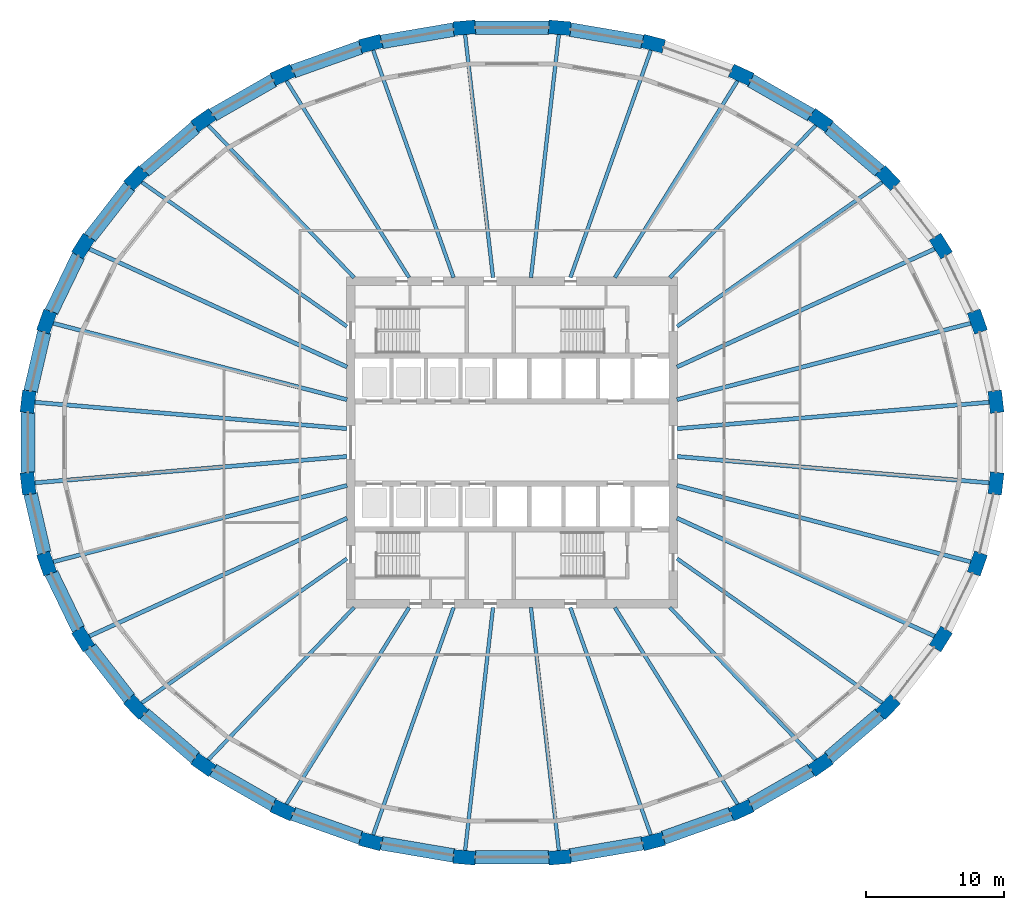
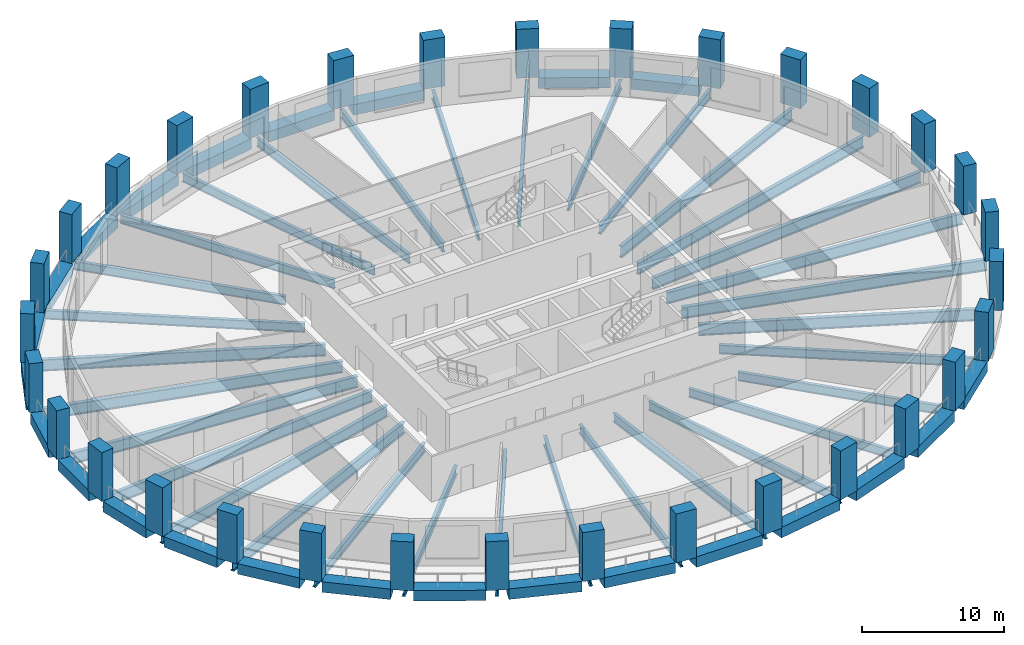
# One storey, part 1 of 10: 56 beams, 32 columns.
"""IFC4 building model written with IfcOpenShell, lengths in metres."""

from ifc_helpers import new_model, si_unit, direction, frame, origin, origin_2d, place, context, subcontext, project, spatial, rectangle, i_section, extrude, material, material_profile, profile_set, type_object, element, save


model = new_model("IFC4")

# Units and contexts
model_context = context("Model", 3, precision=1e-05, world=origin(), true_north=direction((0.0, 1.0)))
body_context = subcontext(model_context, "Body", "Model", "MODEL_VIEW")
ifc_project = project(units=[si_unit("LENGTHUNIT", "METRE"), si_unit("AREAUNIT", "SQUARE_METRE"), si_unit("VOLUMEUNIT", "CUBIC_METRE"), si_unit("PLANEANGLEUNIT", "RADIAN"), si_unit("MASSUNIT", "GRAM", prefix="KILO")], contexts=[model_context])

# Site, building, storey
site_placement = place(None, origin())
site = spatial("IfcSite", under=ifc_project, at=site_placement, CompositionType="ELEMENT")
building_placement = place(site_placement, origin())
building = spatial("IfcBuilding", under=site, at=building_placement, Name="Halqa Exchange Tower", CompositionType="ELEMENT")
storey_placement = place(building_placement, frame((0.0, 0.0, 108.699951171875)))
storey = spatial("IfcBuildingStorey", under=building, at=storey_placement, Name="L24", CompositionType="ELEMENT", Elevation=108.699951171875)

# Columns
ifc_material_1 = material(Name="Concrete C70/85", Category="concrete")
ifc_material_profile_1 = material_profile(ifc_material_1, rectangle(XDim=1.60009765625, YDim=1.0, at=origin_2d()), Name="1600 x 1000")
ifc_profile_set_1 = profile_set([ifc_material_profile_1], Name="Concrete C70/85")
column_type = type_object("IfcColumnType", Name="RC ring column 1600 x 1000 C70/85", PredefinedType="COLUMN", material=ifc_profile_set_1)
for number, where, z_axis, x_axis, name in (
    (1, (35.11962890625, 2.96484375, 0.0), (0.0, 0.0, 1.0), (-0.114162123735, 0.993462132899, 0.0), "Ring column 1"),
    (2, (33.77001953125, 8.780517578125, 0.0), (0.0, 0.0, 1.0), (-0.333625878908, 0.942705560036, 0.0), "Ring column 2"),
    (3, (31.12255859375, 14.2587890625, 0.0), (0.0, 0.0, 1.0), (-0.529139015285, 0.848535151012, 0.0), "Ring column 3"),
    (4, (27.279296875, 19.189208984375, 0.0), (0.0, 0.0, 1.0), (-0.69158113391, 0.722298785282, 0.0), "Ring column 4"),
    (5, (22.387451171875, 23.382080078125, 0.0), (0.0, 0.0, 1.0), (-0.817910796357, 0.575345052297, 0.0), "Ring column 5"),
    (6, (16.635498046875, 26.676513671875, 0.0), (0.0, 0.0, 1.0), (-0.909127822794, 0.416517228722, 0.0), "Ring column 6"),
    (7, (10.243896484375, 28.945556640625, 0.0), (0.0, 0.0, 1.0), (-0.967819942774, 0.251643713153, 0.0), "Ring column 7"),
    (8, (3.458984375, 30.102294921875, 0.0), (0.0, 0.0, 1.0), (-0.996455665803, 0.084119593962, 0.0), "Ring column 8"),
    (9, (-3.458984375, 30.102294921875, 0.0), (0.0, 0.0, 1.0), (-0.996455665803, -0.084119593962, 0.0), "Ring column 9"),
    (10, (-10.243896484375, 28.945556640625, 0.0), (0.0, 0.0, 1.0), (-0.967819942774, -0.251643713153, 0.0), "Ring column 10"),
    (11, (-16.635498046875, 26.676513671875, 0.0), (0.0, 0.0, 1.0), (-0.909127822794, -0.416517228722, 0.0), "Ring column 11"),
    (12, (-22.387451171875, 23.382080078125, 0.0), (0.0, 0.0, 1.0), (-0.817910796357, -0.575345052297, 0.0), "Ring column 12"),
    (13, (-27.279296875, 19.189208984375, 0.0), (0.0, 0.0, 1.0), (-0.69158113391, -0.722298785282, 0.0), "Ring column 13"),
    (14, (-31.12255859375, 14.2587890625, 0.0), (0.0, 0.0, 1.0), (-0.529139015285, -0.848535151012, 0.0), "Ring column 14"),
    (15, (-33.77001953125, 8.780517578125, 0.0), (0.0, 0.0, 1.0), (-0.333625878908, -0.942705560036, 0.0), "Ring column 15"),
    (16, (-35.11962890625, 2.96484375, 0.0), (0.0, 0.0, 1.0), (-0.114162123735, -0.993462132899, 0.0), "Ring column 16"),
    (17, (-35.11962890625, -2.96484375, 0.0), (0.0, 0.0, 1.0), (0.114162123735, -0.993462132899, 0.0), "Ring column 17"),
    (18, (-33.77001953125, -8.780517578125, 0.0), (0.0, 0.0, 1.0), (0.333625878908, -0.942705560036, 0.0), "Ring column 18"),
    (19, (-31.12255859375, -14.2587890625, 0.0), (0.0, 0.0, 1.0), (0.529139015285, -0.848535151012, 0.0), "Ring column 19"),
    (20, (-27.279296875, -19.189208984375, 0.0), (0.0, 0.0, 1.0), (0.69158113391, -0.722298785282, 0.0), "Ring column 20"),
    (21, (-22.387451171875, -23.382080078125, 0.0), (0.0, 0.0, 1.0), (0.817910796357, -0.575345052297, 0.0), "Ring column 21"),
    (22, (-16.635498046875, -26.676513671875, 0.0), (0.0, 0.0, 1.0), (0.909127822794, -0.416517228722, 0.0), "Ring column 22"),
    (23, (-10.243896484375, -28.945556640625, 0.0), (0.0, 0.0, 1.0), (0.967819942774, -0.251643713153, 0.0), "Ring column 23"),
    (24, (-3.458984375, -30.102294921875, 0.0), (0.0, 0.0, 1.0), (0.996455665803, -0.084119593962, 0.0), "Ring column 24"),
    (25, (3.458984375, -30.102294921875, 0.0), (0.0, 0.0, 1.0), (0.996455665803, 0.084119593962, 0.0), "Ring column 25"),
    (26, (10.243896484375, -28.945556640625, 0.0), (0.0, 0.0, 1.0), (0.967819942774, 0.251643713153, 0.0), "Ring column 26"),
    (27, (16.635498046875, -26.676513671875, 0.0), (0.0, 0.0, 1.0), (0.909127822794, 0.416517228722, 0.0), "Ring column 27"),
    (28, (22.387451171875, -23.382080078125, 0.0), (0.0, 0.0, 1.0), (0.817910796357, 0.575345052297, 0.0), "Ring column 28"),
    (29, (27.279296875, -19.189208984375, 0.0), (0.0, 0.0, 1.0), (0.69158113391, 0.722298785282, 0.0), "Ring column 29"),
    (30, (31.12255859375, -14.2587890625, 0.0), (0.0, 0.0, 1.0), (0.529139015285, 0.848535151012, 0.0), "Ring column 30"),
    (31, (33.77001953125, -8.780517578125, 0.0), (0.0, 0.0, 1.0), (0.333625878908, 0.942705560036, 0.0), "Ring column 31"),
    (32, (35.11962890625, -2.96484375, 0.0), (0.0, 0.0, 1.0), (0.114162123735, 0.993462132899, 0.0), "Ring column 32"),
):
    element("IfcColumn", number, at=place(storey_placement, frame(where, z_axis=z_axis, x_axis=x_axis)), inside=storey, type_object=column_type, Name=name, PredefinedType="COLUMN", context=body_context, shape_type="SweptSolid", body=[
        extrude(rectangle(XDim=1.60009765625, YDim=1.0, at=origin_2d()), origin(), (0.0, 0.0, 1.0), 4.199951171875),
    ])

# Beams
ifc_material_2 = material(Name="Steel S355", Category="steel")
ifc_material_profile_2 = material_profile(ifc_material_2, i_section(OverallWidth=0.300048828125, OverallDepth=0.989990234375, WebThickness=0.0166015625, FlangeThickness=0.031005859375, FilletRadius=0.030029296875, at=origin_2d()), Name="HEA 1000")
ifc_profile_set_2 = profile_set([ifc_material_profile_2], Name="Steel S355")
beam_type_1 = type_object("IfcBeamType", Name="Floor beam HEA 1000", PredefinedType="BEAM", material=ifc_profile_set_2)
beam_1_placement = place(storey_placement, frame((11.972412109375, 1.0107421875, -0.794921875), z_axis=(0.996455564778, 0.084120790668, 0.0), x_axis=(-0.084120790668, 0.996455564778, 0.0)))
element("IfcBeam", 33, at=beam_1_placement, inside=storey, type_object=beam_type_1, Name="Radial beam 1", PredefinedType="BEAM", context=body_context, shape_type="SweptSolid", body=[
    extrude(i_section(OverallWidth=0.300048828125, OverallDepth=0.989990234375, WebThickness=0.0166015625, FlangeThickness=0.031005859375, FilletRadius=0.030029296875, at=origin_2d()), origin(), (0.0, 0.0, 1.0), 22.99755859375),
])
beam_2_placement = place(storey_placement, frame((11.97119140625, 3.11279296875, -0.794921875), z_axis=(0.96782122626, 0.251638776821, 0.0), x_axis=(-0.251638776821, 0.96782122626, 0.0)))
element("IfcBeam", 34, at=beam_2_placement, inside=storey, type_object=beam_type_1, Name="Radial beam 2", PredefinedType="BEAM", context=body_context, shape_type="SweptSolid", body=[
    extrude(i_section(OverallWidth=0.300048828125, OverallDepth=0.989990234375, WebThickness=0.0166015625, FlangeThickness=0.031005859375, FilletRadius=0.030029296875, at=origin_2d()), origin(), (0.0, 0.0, 1.0), 22.28759765625),
])
for number, where, z_axis, x_axis, name in (
    (35, (11.972412109375, 5.485107421875, -0.794921875), (0.909124576493, 0.416524314316, 0.0), (-0.416524314316, 0.909124576493, 0.0), "Radial beam 3"),
    (36, (-11.972412109375, 5.485107421875, -0.794921875), (-0.909124576493, 0.416524314316, 0.0), (-0.416524314316, -0.909124576493, 0.0), "Radial beam 14"),
):
    element("IfcBeam", number, at=place(storey_placement, frame(where, z_axis=z_axis, x_axis=x_axis)), inside=storey, type_object=beam_type_1, Name=name, PredefinedType="BEAM", context=body_context, shape_type="SweptSolid", body=[
        extrude(i_section(OverallWidth=0.300048828125, OverallDepth=0.989990234375, WebThickness=0.0166015625, FlangeThickness=0.031005859375, FilletRadius=0.030029296875, at=origin_2d()), origin(), (0.0, 0.0, 1.0), 20.82421875),
    ])
beam_3_placement = place(storey_placement, frame((-11.97119140625, 3.11279296875, -0.794921875), z_axis=(-0.96782122626, 0.251638776821, 0.0), x_axis=(-0.251638776821, -0.96782122626, 0.0)))
element("IfcBeam", 37, at=beam_3_placement, inside=storey, type_object=beam_type_1, Name="Radial beam 15", PredefinedType="BEAM", context=body_context, shape_type="SweptSolid", body=[
    extrude(i_section(OverallWidth=0.300048828125, OverallDepth=0.989990234375, WebThickness=0.0166015625, FlangeThickness=0.031005859375, FilletRadius=0.030029296875, at=origin_2d()), origin(), (0.0, 0.0, 1.0), 22.28759765625),
])
for number, where, z_axis, x_axis, name in (
    (38, (-11.972412109375, 1.0107421875, -0.794921875), (-0.996455564778, 0.084120790668, 0.0), (-0.084120790668, -0.996455564778, 0.0), "Radial beam 16"),
    (39, (-11.972412109375, -1.0107421875, -0.794921875), (-0.996455564778, -0.084120790668, 0.0), (0.084120790668, -0.996455564778, 0.0), "Radial beam 17"),
):
    element("IfcBeam", number, at=place(storey_placement, frame(where, z_axis=z_axis, x_axis=x_axis)), inside=storey, type_object=beam_type_1, Name=name, PredefinedType="BEAM", context=body_context, shape_type="SweptSolid", body=[
        extrude(i_section(OverallWidth=0.300048828125, OverallDepth=0.989990234375, WebThickness=0.0166015625, FlangeThickness=0.031005859375, FilletRadius=0.030029296875, at=origin_2d()), origin(), (0.0, 0.0, 1.0), 22.99755859375),
    ])
beam_4_placement = place(storey_placement, frame((-11.97119140625, -3.11279296875, -0.794921875), z_axis=(-0.96782122626, -0.251638776821, 0.0), x_axis=(0.251638776821, -0.96782122626, 0.0)))
element("IfcBeam", 40, at=beam_4_placement, inside=storey, type_object=beam_type_1, Name="Radial beam 18", PredefinedType="BEAM", context=body_context, shape_type="SweptSolid", body=[
    extrude(i_section(OverallWidth=0.300048828125, OverallDepth=0.989990234375, WebThickness=0.0166015625, FlangeThickness=0.031005859375, FilletRadius=0.030029296875, at=origin_2d()), origin(), (0.0, 0.0, 1.0), 22.28759765625),
])
for number, where, z_axis, x_axis, name in (
    (41, (-11.972412109375, -5.485107421875, -0.794921875), (-0.909124576493, -0.416524314316, 0.0), (0.416524314316, -0.909124576493, 0.0), "Radial beam 19"),
    (42, (11.972412109375, -5.485107421875, -0.794921875), (0.909124576493, -0.416524314316, 0.0), (0.416524314316, 0.909124576493, 0.0), "Radial beam 30"),
):
    element("IfcBeam", number, at=place(storey_placement, frame(where, z_axis=z_axis, x_axis=x_axis)), inside=storey, type_object=beam_type_1, Name=name, PredefinedType="BEAM", context=body_context, shape_type="SweptSolid", body=[
        extrude(i_section(OverallWidth=0.300048828125, OverallDepth=0.989990234375, WebThickness=0.0166015625, FlangeThickness=0.031005859375, FilletRadius=0.030029296875, at=origin_2d()), origin(), (0.0, 0.0, 1.0), 20.82421875),
    ])
beam_5_placement = place(storey_placement, frame((11.97119140625, -3.11279296875, -0.794921875), z_axis=(0.96782122626, -0.251638776821, 0.0), x_axis=(0.251638776821, 0.96782122626, 0.0)))
element("IfcBeam", 43, at=beam_5_placement, inside=storey, type_object=beam_type_1, Name="Radial beam 31", PredefinedType="BEAM", context=body_context, shape_type="SweptSolid", body=[
    extrude(i_section(OverallWidth=0.300048828125, OverallDepth=0.989990234375, WebThickness=0.0166015625, FlangeThickness=0.031005859375, FilletRadius=0.030029296875, at=origin_2d()), origin(), (0.0, 0.0, 1.0), 22.28759765625),
])
beam_6_placement = place(storey_placement, frame((11.972412109375, -1.0107421875, -0.794921875), z_axis=(0.996455564778, -0.084120790668, 0.0), x_axis=(0.084120790668, 0.996455564778, 0.0)))
element("IfcBeam", 44, at=beam_6_placement, inside=storey, type_object=beam_type_1, Name="Radial beam 32", PredefinedType="BEAM", context=body_context, shape_type="SweptSolid", body=[
    extrude(i_section(OverallWidth=0.300048828125, OverallDepth=0.989990234375, WebThickness=0.0166015625, FlangeThickness=0.031005859375, FilletRadius=0.030029296875, at=origin_2d()), origin(), (0.0, 0.0, 1.0), 22.99755859375),
])
ifc_material_profile_3 = material_profile(ifc_material_2, i_section(OverallWidth=0.264892578125, OverallDepth=0.7529296875, WebThickness=0.01318359375, FlangeThickness=0.01708984375, FilletRadius=0.01708984375, at=origin_2d()), Name="IPE 750x147")
ifc_profile_set_3 = profile_set([ifc_material_profile_3], Name="Steel S355")
beam_type_2 = type_object("IfcBeamType", Name="Floor beam IPE 750x147", PredefinedType="BEAM", material=ifc_profile_set_3)
beam_7_placement = place(storey_placement, frame((11.462890625, 11.97216796875, -0.676513671875), z_axis=(0.691575508038, 0.722304171857, 0.0), x_axis=(-0.722304171857, 0.691575508038, 0.0)))
element("IfcBeam", 45, at=beam_7_placement, inside=storey, type_object=beam_type_2, Name="Radial beam 5", PredefinedType="BEAM", context=body_context, shape_type="SweptSolid", body=[
    extrude(i_section(OverallWidth=0.264892578125, OverallDepth=0.7529296875, WebThickness=0.01318359375, FlangeThickness=0.01708984375, FilletRadius=0.01708984375, at=origin_2d()), origin(), (0.0, 0.0, 1.0), 15.54833984375),
])
beam_8_placement = place(storey_placement, frame((7.466064453125, 11.972412109375, -0.676513671875), z_axis=(0.529145374109, 0.848531185673, 0.0), x_axis=(-0.848531185673, 0.529145374109, 0.0)))
element("IfcBeam", 46, at=beam_8_placement, inside=storey, type_object=beam_type_2, Name="Radial beam 6", PredefinedType="BEAM", context=body_context, shape_type="SweptSolid", body=[
    extrude(i_section(OverallWidth=0.264892578125, OverallDepth=0.7529296875, WebThickness=0.01318359375, FlangeThickness=0.01708984375, FilletRadius=0.01708984375, at=origin_2d()), origin(), (0.0, 0.0, 1.0), 17.076904296875),
])
beam_9_placement = place(storey_placement, frame((4.23681640625, 11.9716796875, -0.676513671875), z_axis=(0.333629227982, 0.942704374784, 0.0), x_axis=(-0.942704374784, 0.333629227982, 0.0)))
element("IfcBeam", 47, at=beam_9_placement, inside=storey, type_object=beam_type_2, Name="Radial beam 7", PredefinedType="BEAM", context=body_context, shape_type="SweptSolid", body=[
    extrude(i_section(OverallWidth=0.264892578125, OverallDepth=0.7529296875, WebThickness=0.01318359375, FlangeThickness=0.01708984375, FilletRadius=0.01708984375, at=origin_2d()), origin(), (0.0, 0.0, 1.0), 17.75341796875),
])
for number, where, z_axis, x_axis, name in (
    (48, (1.375732421875, 11.972900390625, -0.676513671875), (0.11415496494, 0.993462955515, 0.0), (-0.993462955515, 0.11415496494, 0.0), "Radial beam 8"),
    (49, (-1.375732421875, 11.972900390625, -0.676513671875), (-0.11415496494, 0.993462955515, 0.0), (-0.993462955515, -0.11415496494, 0.0), "Radial beam 9"),
):
    element("IfcBeam", number, at=place(storey_placement, frame(where, z_axis=z_axis, x_axis=x_axis)), inside=storey, type_object=beam_type_2, Name=name, PredefinedType="BEAM", context=body_context, shape_type="SweptSolid", body=[
        extrude(i_section(OverallWidth=0.264892578125, OverallDepth=0.7529296875, WebThickness=0.01318359375, FlangeThickness=0.01708984375, FilletRadius=0.01708984375, at=origin_2d()), origin(), (0.0, 0.0, 1.0), 17.994873046875),
    ])
beam_10_placement = place(storey_placement, frame((-4.23681640625, 11.9716796875, -0.676513671875), z_axis=(-0.333629227982, 0.942704374784, 0.0), x_axis=(-0.942704374784, -0.333629227982, 0.0)))
element("IfcBeam", 50, at=beam_10_placement, inside=storey, type_object=beam_type_2, Name="Radial beam 10", PredefinedType="BEAM", context=body_context, shape_type="SweptSolid", body=[
    extrude(i_section(OverallWidth=0.264892578125, OverallDepth=0.7529296875, WebThickness=0.01318359375, FlangeThickness=0.01708984375, FilletRadius=0.01708984375, at=origin_2d()), origin(), (0.0, 0.0, 1.0), 17.75341796875),
])
beam_11_placement = place(storey_placement, frame((-7.466064453125, 11.972412109375, -0.676513671875), z_axis=(-0.529145374109, 0.848531185673, 0.0), x_axis=(-0.848531185673, -0.529145374109, 0.0)))
element("IfcBeam", 51, at=beam_11_placement, inside=storey, type_object=beam_type_2, Name="Radial beam 11", PredefinedType="BEAM", context=body_context, shape_type="SweptSolid", body=[
    extrude(i_section(OverallWidth=0.264892578125, OverallDepth=0.7529296875, WebThickness=0.01318359375, FlangeThickness=0.01708984375, FilletRadius=0.01708984375, at=origin_2d()), origin(), (0.0, 0.0, 1.0), 17.076904296875),
])
for number, where, z_axis, x_axis, name in (
    (52, (-11.462890625, 11.97216796875, -0.676513671875), (-0.691575508038, 0.722304171857, 0.0), (-0.722304171857, -0.691575508038, 0.0), "Radial beam 12"),
    (53, (-11.462890625, -11.97216796875, -0.676513671875), (-0.691575508038, -0.722304171857, 0.0), (0.722304171857, -0.691575508038, 0.0), "Radial beam 21"),
):
    element("IfcBeam", number, at=place(storey_placement, frame(where, z_axis=z_axis, x_axis=x_axis)), inside=storey, type_object=beam_type_2, Name=name, PredefinedType="BEAM", context=body_context, shape_type="SweptSolid", body=[
        extrude(i_section(OverallWidth=0.264892578125, OverallDepth=0.7529296875, WebThickness=0.01318359375, FlangeThickness=0.01708984375, FilletRadius=0.01708984375, at=origin_2d()), origin(), (0.0, 0.0, 1.0), 15.54833984375),
    ])
beam_12_placement = place(storey_placement, frame((-7.466064453125, -11.972412109375, -0.676513671875), z_axis=(-0.529145374109, -0.848531185673, 0.0), x_axis=(0.848531185673, -0.529145374109, 0.0)))
element("IfcBeam", 54, at=beam_12_placement, inside=storey, type_object=beam_type_2, Name="Radial beam 22", PredefinedType="BEAM", context=body_context, shape_type="SweptSolid", body=[
    extrude(i_section(OverallWidth=0.264892578125, OverallDepth=0.7529296875, WebThickness=0.01318359375, FlangeThickness=0.01708984375, FilletRadius=0.01708984375, at=origin_2d()), origin(), (0.0, 0.0, 1.0), 17.076904296875),
])
beam_13_placement = place(storey_placement, frame((-4.23681640625, -11.9716796875, -0.676513671875), z_axis=(-0.333629227982, -0.942704374784, 0.0), x_axis=(0.942704374784, -0.333629227982, 0.0)))
element("IfcBeam", 55, at=beam_13_placement, inside=storey, type_object=beam_type_2, Name="Radial beam 23", PredefinedType="BEAM", context=body_context, shape_type="SweptSolid", body=[
    extrude(i_section(OverallWidth=0.264892578125, OverallDepth=0.7529296875, WebThickness=0.01318359375, FlangeThickness=0.01708984375, FilletRadius=0.01708984375, at=origin_2d()), origin(), (0.0, 0.0, 1.0), 17.75341796875),
])
for number, where, z_axis, x_axis, name in (
    (56, (-1.375732421875, -11.972900390625, -0.676513671875), (-0.11415496494, -0.993462955515, 0.0), (0.993462955515, -0.11415496494, 0.0), "Radial beam 24"),
    (57, (1.375732421875, -11.972900390625, -0.676513671875), (0.11415496494, -0.993462955515, 0.0), (0.993462955515, 0.11415496494, 0.0), "Radial beam 25"),
):
    element("IfcBeam", number, at=place(storey_placement, frame(where, z_axis=z_axis, x_axis=x_axis)), inside=storey, type_object=beam_type_2, Name=name, PredefinedType="BEAM", context=body_context, shape_type="SweptSolid", body=[
        extrude(i_section(OverallWidth=0.264892578125, OverallDepth=0.7529296875, WebThickness=0.01318359375, FlangeThickness=0.01708984375, FilletRadius=0.01708984375, at=origin_2d()), origin(), (0.0, 0.0, 1.0), 17.994873046875),
    ])
beam_14_placement = place(storey_placement, frame((4.23681640625, -11.9716796875, -0.676513671875), z_axis=(0.333629227982, -0.942704374784, 0.0), x_axis=(0.942704374784, 0.333629227982, 0.0)))
element("IfcBeam", 58, at=beam_14_placement, inside=storey, type_object=beam_type_2, Name="Radial beam 26", PredefinedType="BEAM", context=body_context, shape_type="SweptSolid", body=[
    extrude(i_section(OverallWidth=0.264892578125, OverallDepth=0.7529296875, WebThickness=0.01318359375, FlangeThickness=0.01708984375, FilletRadius=0.01708984375, at=origin_2d()), origin(), (0.0, 0.0, 1.0), 17.75341796875),
])
beam_15_placement = place(storey_placement, frame((7.466064453125, -11.972412109375, -0.676513671875), z_axis=(0.529145374109, -0.848531185673, 0.0), x_axis=(0.848531185673, 0.529145374109, 0.0)))
element("IfcBeam", 59, at=beam_15_placement, inside=storey, type_object=beam_type_2, Name="Radial beam 27", PredefinedType="BEAM", context=body_context, shape_type="SweptSolid", body=[
    extrude(i_section(OverallWidth=0.264892578125, OverallDepth=0.7529296875, WebThickness=0.01318359375, FlangeThickness=0.01708984375, FilletRadius=0.01708984375, at=origin_2d()), origin(), (0.0, 0.0, 1.0), 17.076904296875),
])
beam_16_placement = place(storey_placement, frame((11.462890625, -11.97216796875, -0.676513671875), z_axis=(0.691575508038, -0.722304171857, 0.0), x_axis=(0.722304171857, 0.691575508038, 0.0)))
element("IfcBeam", 60, at=beam_16_placement, inside=storey, type_object=beam_type_2, Name="Radial beam 28", PredefinedType="BEAM", context=body_context, shape_type="SweptSolid", body=[
    extrude(i_section(OverallWidth=0.264892578125, OverallDepth=0.7529296875, WebThickness=0.01318359375, FlangeThickness=0.01708984375, FilletRadius=0.01708984375, at=origin_2d()), origin(), (0.0, 0.0, 1.0), 15.54833984375),
])
ifc_material_profile_4 = material_profile(ifc_material_2, i_section(OverallWidth=0.26806640625, OverallDepth=0.77001953125, WebThickness=0.015625, FlangeThickness=0.025390625, FilletRadius=0.01708984375, at=origin_2d()), Name="IPE 750x196")
ifc_profile_set_4 = profile_set([ifc_material_profile_4], Name="Steel S355")
beam_type_3 = type_object("IfcBeamType", Name="Floor beam IPE 750x196", PredefinedType="BEAM", material=ifc_profile_set_4)
for number, where, z_axis, x_axis, name in (
    (61, (11.971435546875, 8.421142578125, -0.68505859375), (0.817907777386, 0.575349344043, 0.0), (-0.575349344043, 0.817907777386, 0.0), "Radial beam 4"),
    (62, (-11.971435546875, 8.421142578125, -0.68505859375), (-0.817907777386, 0.575349344043, 0.0), (-0.575349344043, -0.817907777386, 0.0), "Radial beam 13"),
    (63, (-11.971435546875, -8.421142578125, -0.68505859375), (-0.817907777386, -0.575349344043, 0.0), (0.575349344043, -0.817907777386, 0.0), "Radial beam 20"),
    (64, (11.971435546875, -8.421142578125, -0.68505859375), (0.817907777386, -0.575349344043, 0.0), (0.575349344043, 0.817907777386, 0.0), "Radial beam 29"),
):
    element("IfcBeam", number, at=place(storey_placement, frame(where, z_axis=z_axis, x_axis=x_axis)), inside=storey, type_object=beam_type_3, Name=name, PredefinedType="BEAM", context=body_context, shape_type="SweptSolid", body=[
        extrude(i_section(OverallWidth=0.26806640625, OverallDepth=0.77001953125, WebThickness=0.015625, FlangeThickness=0.025390625, FilletRadius=0.01708984375, at=origin_2d()), origin(), (0.0, 0.0, 1.0), 18.4716796875),
    ])
ifc_material_3 = material(Name="Concrete C60/75", Category="concrete")
ifc_material_profile_5 = material_profile(ifc_material_3, rectangle(XDim=1.0, YDim=0.89990234375, at=origin_2d()), Name="1000 x 900")
ifc_profile_set_5 = profile_set([ifc_material_profile_5], Name="Concrete C60/75")
beam_type_4 = type_object("IfcBeamType", Name="RC spandrel beam 1000 x 900 C60/75", PredefinedType="SPANDREL", material=ifc_profile_set_5)
beam_17_placement = place(storey_placement, frame((26.69091796875, 19.693603515625, -0.449951171875), z_axis=(-0.75929182772, 0.650750274957, 0.0), x_axis=(-0.650750274957, -0.75929182772, 0.0)))
element("IfcBeam", 65, at=beam_17_placement, inside=storey, type_object=beam_type_4, Name="Spandrel 4", PredefinedType="SPANDREL", context=body_context, shape_type="SweptSolid", body=[
    extrude(rectangle(XDim=1.0, YDim=0.89990234375, at=origin_2d()), origin(), (0.0, 0.0, 1.0), 4.89208984375),
])
beam_18_placement = place(storey_placement, frame((21.71533203125, 23.76708984375, -0.449951171875), z_axis=(-0.86776348746, 0.496977393682, 0.0), x_axis=(-0.496977393682, -0.86776348746, 0.0)))
element("IfcBeam", 66, at=beam_18_placement, inside=storey, type_object=beam_type_4, Name="Spandrel 5", PredefinedType="SPANDREL", context=body_context, shape_type="SweptSolid", body=[
    extrude(rectangle(XDim=1.0, YDim=0.89990234375, at=origin_2d()), origin(), (0.0, 0.0, 1.0), 5.07861328125),
])
beam_19_placement = place(storey_placement, frame((9.479736328125, 29.075927734375, -0.449951171875), z_axis=(-0.985775855536, 0.168065352298, 0.0), x_axis=(-0.168065352298, -0.985775855536, 0.0)))
element("IfcBeam", 67, at=beam_19_placement, inside=storey, type_object=beam_type_4, Name="Spandrel 7", PredefinedType="SPANDREL", context=body_context, shape_type="SweptSolid", body=[
    extrude(rectangle(XDim=1.0, YDim=0.89990234375, at=origin_2d()), origin(), (0.0, 0.0, 1.0), 5.332763671875),
])
beam_20_placement = place(storey_placement, frame((2.68408203125, 30.102294921875, -0.449951171875), z_axis=(-1.0, 0.0, 0.0), x_axis=(0.0, -1.0, 0.0)))
element("IfcBeam", 68, at=beam_20_placement, inside=storey, type_object=beam_type_4, Name="Spandrel 8", PredefinedType="SPANDREL", context=body_context, shape_type="SweptSolid", body=[
    extrude(rectangle(XDim=1.0, YDim=0.89990234375, at=origin_2d()), origin(), (0.0, 0.0, 1.0), 5.3681640625),
])
beam_21_placement = place(storey_placement, frame((-4.222900390625, 29.97216796875, -0.449951171875), z_axis=(-0.985775855536, -0.168065352298, 0.0), x_axis=(0.168065352298, -0.985775855536, 0.0)))
element("IfcBeam", 69, at=beam_21_placement, inside=storey, type_object=beam_type_4, Name="Spandrel 9", PredefinedType="SPANDREL", context=body_context, shape_type="SweptSolid", body=[
    extrude(rectangle(XDim=1.0, YDim=0.89990234375, at=origin_2d()), origin(), (0.0, 0.0, 1.0), 5.332763671875),
])
beam_22_placement = place(storey_placement, frame((-10.97509765625, 28.68603515625, -0.449951171875), z_axis=(-0.94236843099, -0.334576957177, 0.0), x_axis=(0.334576957177, -0.94236843099, 0.0)))
element("IfcBeam", 70, at=beam_22_placement, inside=storey, type_object=beam_type_4, Name="Spandrel 10", PredefinedType="SPANDREL", context=body_context, shape_type="SweptSolid", body=[
    extrude(rectangle(XDim=1.0, YDim=0.89990234375, at=origin_2d()), origin(), (0.0, 0.0, 1.0), 5.23193359375),
])
beam_23_placement = place(storey_placement, frame((-17.308349609375, 26.291015625, -0.449951171875), z_axis=(-0.86776348746, -0.496977393682, 0.0), x_axis=(0.496977393682, -0.86776348746, 0.0)))
element("IfcBeam", 71, at=beam_23_placement, inside=storey, type_object=beam_type_4, Name="Spandrel 11", PredefinedType="SPANDREL", context=body_context, shape_type="SweptSolid", body=[
    extrude(rectangle(XDim=1.0, YDim=0.89990234375, at=origin_2d()), origin(), (0.0, 0.0, 1.0), 5.07861328125),
])
beam_24_placement = place(storey_placement, frame((-22.976318359375, 22.877197265625, -0.449951171875), z_axis=(-0.75929182772, -0.650750274957, 0.0), x_axis=(0.650750274957, -0.75929182772, 0.0)))
element("IfcBeam", 72, at=beam_24_placement, inside=storey, type_object=beam_type_4, Name="Spandrel 12", PredefinedType="SPANDREL", context=body_context, shape_type="SweptSolid", body=[
    extrude(rectangle(XDim=1.0, YDim=0.89990234375, at=origin_2d()), origin(), (0.0, 0.0, 1.0), 4.89208984375),
])
beam_25_placement = place(storey_placement, frame((-27.75634765625, 18.5771484375, -0.449951171875), z_axis=(-0.614814102192, -0.788672060965, 0.0), x_axis=(0.788672060965, -0.614814102192, 0.0)))
element("IfcBeam", 73, at=beam_25_placement, inside=storey, type_object=beam_type_4, Name="Spandrel 13", PredefinedType="SPANDREL", context=body_context, shape_type="SweptSolid", body=[
    extrude(rectangle(XDim=1.0, YDim=0.89990234375, at=origin_2d()), origin(), (0.0, 0.0, 1.0), 4.699951171875),
])
beam_26_placement = place(storey_placement, frame((-31.46044921875, 13.559814453125, -0.449951171875), z_axis=(-0.435101676996, -0.900381325148, 0.0), x_axis=(0.900381325148, -0.435101676996, 0.0)))
element("IfcBeam", 74, at=beam_26_placement, inside=storey, type_object=beam_type_4, Name="Spandrel 14", PredefinedType="SPANDREL", context=body_context, shape_type="SweptSolid", body=[
    extrude(rectangle(XDim=1.0, YDim=0.89990234375, at=origin_2d()), origin(), (0.0, 0.0, 1.0), 4.530517578125),
])
beam_27_placement = place(storey_placement, frame((-33.9453125, 8.0244140625, -0.449951171875), z_axis=(-0.226062276551, -0.974112851327, 0.0), x_axis=(0.974112851327, -0.226062276551, 0.0)))
element("IfcBeam", 75, at=beam_27_placement, inside=storey, type_object=beam_type_4, Name="Spandrel 15", PredefinedType="SPANDREL", context=body_context, shape_type="SweptSolid", body=[
    extrude(rectangle(XDim=1.0, YDim=0.89990234375, at=origin_2d()), origin(), (0.0, 0.0, 1.0), 4.4169921875),
])
beam_28_placement = place(storey_placement, frame((-35.11962890625, 2.1875, -0.449951171875), z_axis=(0.0, -1.0, 0.0), x_axis=(1.0, 0.0, 0.0)))
element("IfcBeam", 76, at=beam_28_placement, inside=storey, type_object=beam_type_4, Name="Spandrel 16", PredefinedType="SPANDREL", context=body_context, shape_type="SweptSolid", body=[
    extrude(rectangle(XDim=1.0, YDim=0.89990234375, at=origin_2d()), origin(), (0.0, 0.0, 1.0), 4.375),
])
beam_29_placement = place(storey_placement, frame((-34.94384765625, -3.7216796875, -0.449951171875), z_axis=(0.226062276551, -0.974112851327, 0.0), x_axis=(0.974112851327, 0.226062276551, 0.0)))
element("IfcBeam", 77, at=beam_29_placement, inside=storey, type_object=beam_type_4, Name="Spandrel 17", PredefinedType="SPANDREL", context=body_context, shape_type="SweptSolid", body=[
    extrude(rectangle(XDim=1.0, YDim=0.89990234375, at=origin_2d()), origin(), (0.0, 0.0, 1.0), 4.4169921875),
])
beam_30_placement = place(storey_placement, frame((-33.431640625, -9.480712890625, -0.449951171875), z_axis=(0.435101676996, -0.900381325148, 0.0), x_axis=(0.900381325148, 0.435101676996, 0.0)))
element("IfcBeam", 78, at=beam_30_placement, inside=storey, type_object=beam_type_4, Name="Spandrel 18", PredefinedType="SPANDREL", context=body_context, shape_type="SweptSolid", body=[
    extrude(rectangle(XDim=1.0, YDim=0.89990234375, at=origin_2d()), origin(), (0.0, 0.0, 1.0), 4.530517578125),
])
beam_31_placement = place(storey_placement, frame((-30.64599609375, -14.870361328125, -0.449951171875), z_axis=(0.614814102192, -0.788672060965, 0.0), x_axis=(0.788672060965, 0.614814102192, 0.0)))
element("IfcBeam", 79, at=beam_31_placement, inside=storey, type_object=beam_type_4, Name="Spandrel 19", PredefinedType="SPANDREL", context=body_context, shape_type="SweptSolid", body=[
    extrude(rectangle(XDim=1.0, YDim=0.89990234375, at=origin_2d()), origin(), (0.0, 0.0, 1.0), 4.699951171875),
])
beam_32_placement = place(storey_placement, frame((-26.69091796875, -19.693603515625, -0.449951171875), z_axis=(0.75929182772, -0.650750274957, 0.0), x_axis=(0.650750274957, 0.75929182772, 0.0)))
element("IfcBeam", 80, at=beam_32_placement, inside=storey, type_object=beam_type_4, Name="Spandrel 20", PredefinedType="SPANDREL", context=body_context, shape_type="SweptSolid", body=[
    extrude(rectangle(XDim=1.0, YDim=0.89990234375, at=origin_2d()), origin(), (0.0, 0.0, 1.0), 4.89208984375),
])
beam_33_placement = place(storey_placement, frame((-21.71533203125, -23.76708984375, -0.449951171875), z_axis=(0.86776348746, -0.496977393682, 0.0), x_axis=(0.496977393682, 0.86776348746, 0.0)))
element("IfcBeam", 81, at=beam_33_placement, inside=storey, type_object=beam_type_4, Name="Spandrel 21", PredefinedType="SPANDREL", context=body_context, shape_type="SweptSolid", body=[
    extrude(rectangle(XDim=1.0, YDim=0.89990234375, at=origin_2d()), origin(), (0.0, 0.0, 1.0), 5.07861328125),
])
beam_34_placement = place(storey_placement, frame((-15.905517578125, -26.935546875, -0.449951171875), z_axis=(0.94236843099, -0.334576957177, 0.0), x_axis=(0.334576957177, 0.94236843099, 0.0)))
element("IfcBeam", 82, at=beam_34_placement, inside=storey, type_object=beam_type_4, Name="Spandrel 22", PredefinedType="SPANDREL", context=body_context, shape_type="SweptSolid", body=[
    extrude(rectangle(XDim=1.0, YDim=0.89990234375, at=origin_2d()), origin(), (0.0, 0.0, 1.0), 5.23193359375),
])
beam_35_placement = place(storey_placement, frame((-9.479736328125, -29.075927734375, -0.449951171875), z_axis=(0.985775855536, -0.168065352298, 0.0), x_axis=(0.168065352298, 0.985775855536, 0.0)))
element("IfcBeam", 83, at=beam_35_placement, inside=storey, type_object=beam_type_4, Name="Spandrel 23", PredefinedType="SPANDREL", context=body_context, shape_type="SweptSolid", body=[
    extrude(rectangle(XDim=1.0, YDim=0.89990234375, at=origin_2d()), origin(), (0.0, 0.0, 1.0), 5.332763671875),
])
beam_36_placement = place(storey_placement, frame((-2.68408203125, -30.102294921875, -0.449951171875), z_axis=(1.0, 0.0, 0.0), x_axis=(0.0, 1.0, 0.0)))
element("IfcBeam", 84, at=beam_36_placement, inside=storey, type_object=beam_type_4, Name="Spandrel 24", PredefinedType="SPANDREL", context=body_context, shape_type="SweptSolid", body=[
    extrude(rectangle(XDim=1.0, YDim=0.89990234375, at=origin_2d()), origin(), (0.0, 0.0, 1.0), 5.3681640625),
])
beam_37_placement = place(storey_placement, frame((4.222900390625, -29.97216796875, -0.449951171875), z_axis=(0.985775855536, 0.168065352298, 0.0), x_axis=(-0.168065352298, 0.985775855536, 0.0)))
element("IfcBeam", 85, at=beam_37_placement, inside=storey, type_object=beam_type_4, Name="Spandrel 25", PredefinedType="SPANDREL", context=body_context, shape_type="SweptSolid", body=[
    extrude(rectangle(XDim=1.0, YDim=0.89990234375, at=origin_2d()), origin(), (0.0, 0.0, 1.0), 5.332763671875),
])
beam_38_placement = place(storey_placement, frame((10.97509765625, -28.68603515625, -0.449951171875), z_axis=(0.94236843099, 0.334576957177, 0.0), x_axis=(-0.334576957177, 0.94236843099, 0.0)))
element("IfcBeam", 86, at=beam_38_placement, inside=storey, type_object=beam_type_4, Name="Spandrel 26", PredefinedType="SPANDREL", context=body_context, shape_type="SweptSolid", body=[
    extrude(rectangle(XDim=1.0, YDim=0.89990234375, at=origin_2d()), origin(), (0.0, 0.0, 1.0), 5.23193359375),
])
beam_39_placement = place(storey_placement, frame((17.308349609375, -26.291015625, -0.449951171875), z_axis=(0.86776348746, 0.496977393682, 0.0), x_axis=(-0.496977393682, 0.86776348746, 0.0)))
element("IfcBeam", 87, at=beam_39_placement, inside=storey, type_object=beam_type_4, Name="Spandrel 27", PredefinedType="SPANDREL", context=body_context, shape_type="SweptSolid", body=[
    extrude(rectangle(XDim=1.0, YDim=0.89990234375, at=origin_2d()), origin(), (0.0, 0.0, 1.0), 5.07861328125),
])
beam_40_placement = place(storey_placement, frame((22.976318359375, -22.877197265625, -0.449951171875), z_axis=(0.75929182772, 0.650750274957, 0.0), x_axis=(-0.650750274957, 0.75929182772, 0.0)))
element("IfcBeam", 88, at=beam_40_placement, inside=storey, type_object=beam_type_4, Name="Spandrel 28", PredefinedType="SPANDREL", context=body_context, shape_type="SweptSolid", body=[
    extrude(rectangle(XDim=1.0, YDim=0.89990234375, at=origin_2d()), origin(), (0.0, 0.0, 1.0), 4.89208984375),
])

save(model, "model.ifc")
